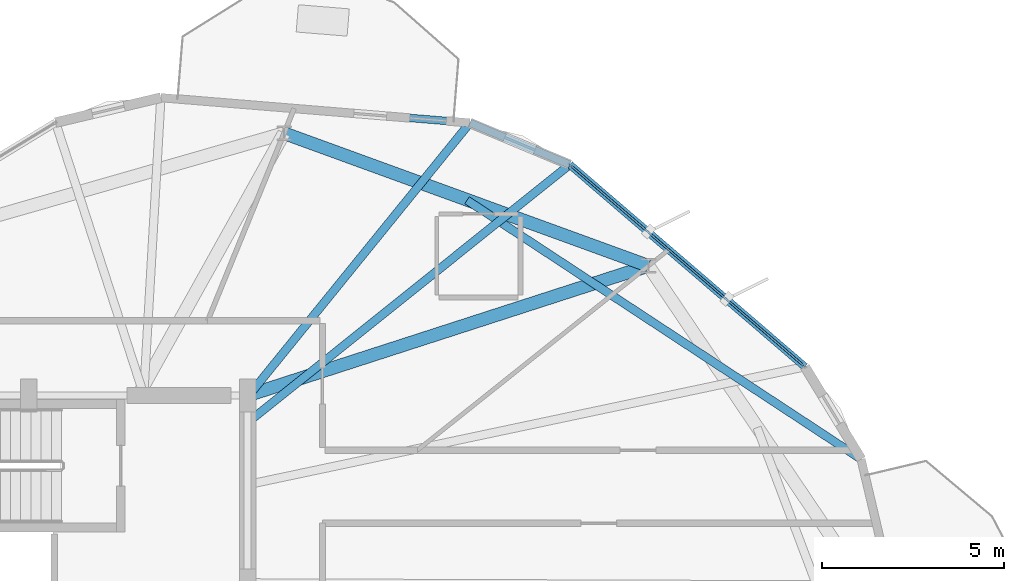
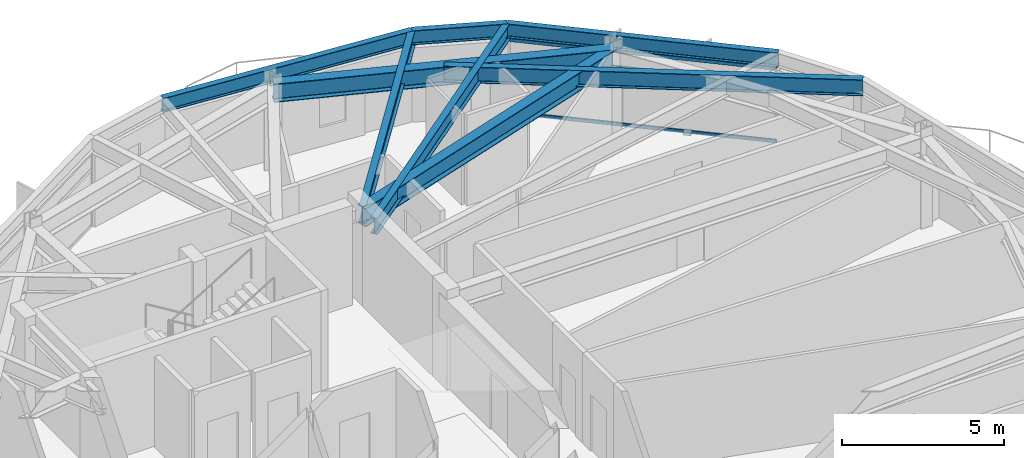
# One storey, part 15 of 23: 8 beams, 3 members, 1 element without a shape of its own.
"""IFC4 building model written with IfcOpenShell, lengths in metres."""

from ifc_helpers import new_model, si_unit, direction, frame, origin, origin_2d, place, context, subcontext, project, spatial, hollow_rectangle, i_section, extrude, material, layer, layer_set, material_profile, profile_set, type_object, element, aggregate, save


model = new_model("IFC4")

# Units and contexts
model_context = context("Model", 3, precision=1e-05, world=origin(), true_north=direction((0.0, 1.0)))
body_context = subcontext(model_context, "Body", "Model", "MODEL_VIEW")
ifc_project = project(units=[si_unit("LENGTHUNIT", "METRE"), si_unit("AREAUNIT", "SQUARE_METRE"), si_unit("VOLUMEUNIT", "CUBIC_METRE"), si_unit("PLANEANGLEUNIT", "RADIAN"), si_unit("MASSUNIT", "GRAM", prefix="KILO")], contexts=[model_context])

# Site, building, storey
site_placement = place(None, origin())
site = spatial("IfcSite", under=ifc_project, at=site_placement, CompositionType="ELEMENT")
building_placement = place(site_placement, origin())
building = spatial("IfcBuilding", under=site, at=building_placement, Name="Soratama Intermodal Tower", CompositionType="ELEMENT")
storey_placement = place(building_placement, frame((0.0, 0.0, 280.0)))
storey = spatial("IfcBuildingStorey", under=building, at=storey_placement, Name="L71", CompositionType="ELEMENT", Elevation=280.0)

# Beams
ifc_material_1 = material(Name="Structural steel ASTM A992 Grade 50", Category="steel")
ifc_material_profile_1 = material_profile(ifc_material_1, i_section(OverallWidth=0.35498046875, OverallDepth=0.695068359375, WebThickness=0.015380859375, FlangeThickness=0.02490234375, FilletRadius=0.01611328125, at=origin_2d()), Name="W27X146")
ifc_profile_set_1 = profile_set([ifc_material_profile_1], Name="Structural steel ASTM A992 Grade 50")
beam_type_1 = type_object("IfcBeamType", Name="BM-RING-W27X146", PredefinedType="BEAM", material=ifc_profile_set_1)
beam_1_placement = place(storey_placement, frame((55.589111328125, 38.553955078125, 3.0625), z_axis=(-0.939684073866, 0.342043624883, 0.0), x_axis=(-0.342043624883, -0.939684073866, 0.0)))
element("IfcBeam", 1, at=beam_1_placement, inside=storey, type_object=beam_type_1, Name="BM-L71-RING-02", PredefinedType="BEAM", context=body_context, shape_type="SweptSolid", body=[
    extrude(i_section(OverallWidth=0.35498046875, OverallDepth=0.695068359375, WebThickness=0.015380859375, FlangeThickness=0.02490234375, FilletRadius=0.01611328125, at=origin_2d()), origin(), (0.0, 0.0, 1.0), 10.630126953125),
])
beam_2_placement = place(storey_placement, frame((44.60009765625, 35.0, 3.0625), z_axis=(0.95147783512, 0.307717287904, 0.0), x_axis=(-0.307717287904, 0.95147783512, 0.0)))
element("IfcBeam", 2, at=beam_2_placement, inside=storey, type_object=beam_type_1, Name="BM-L71-RAD-02", PredefinedType="BEAM", context=body_context, shape_type="SweptSolid", body=[
    extrude(i_section(OverallWidth=0.35498046875, OverallDepth=0.695068359375, WebThickness=0.015380859375, FlangeThickness=0.02490234375, FilletRadius=0.01611328125, at=origin_2d()), origin(), (0.0, 0.0, 1.0), 11.54931640625),
])
ifc_material_2 = material(Name="Structural steel ASTM A992 Grade 50", Category="steel")
ifc_material_profile_2 = material_profile(ifc_material_2, i_section(OverallWidth=0.2099609375, OverallDepth=0.537109375, WebThickness=0.010986328125, FlangeThickness=0.017333984375, FilletRadius=0.012939453125, at=origin_2d()), Name="W21X68")
ifc_profile_set_2 = profile_set([ifc_material_profile_2], Name="Structural steel ASTM A992 Grade 50")
beam_type_2 = type_object("IfcBeamType", Name="BM-SPN-W21X68", PredefinedType="SPANDREL", material=ifc_profile_set_2)
beam_3_placement = place(storey_placement, frame((50.695068359375, 42.47412109375, 3.1416015625), z_axis=(-0.996672531854, 0.081509902755, 0.0), x_axis=(-0.081509902755, -0.996672531854, 0.0)))
element("IfcBeam", 3, at=beam_3_placement, inside=storey, type_object=beam_type_2, Name="BS-L71-F01", PredefinedType="SPANDREL", context=body_context, shape_type="SweptSolid", body=[
    extrude(i_section(OverallWidth=0.2099609375, OverallDepth=0.537109375, WebThickness=0.010986328125, FlangeThickness=0.017333984375, FilletRadius=0.012939453125, at=origin_2d()), origin(), (0.0, 0.0, 1.0), 8.50048828125),
])
beam_4_placement = place(storey_placement, frame((59.8779296875, 35.7890625, 3.1416015625), z_axis=(-0.758335401384, 0.651864571064, 0.0), x_axis=(-0.651864571064, -0.758335401384, 0.0)))
element("IfcBeam", 4, at=beam_4_placement, inside=storey, type_object=beam_type_2, Name="BS-L71-F10", PredefinedType="SPANDREL", context=body_context, shape_type="SweptSolid", body=[
    extrude(i_section(OverallWidth=0.2099609375, OverallDepth=0.537109375, WebThickness=0.010986328125, FlangeThickness=0.017333984375, FilletRadius=0.012939453125, at=origin_2d()), origin(), (0.0, 0.0, 1.0), 8.500244140625),
])
beam_5_placement = place(storey_placement, frame((53.431884765625, 41.330078125, 3.1416015625), z_axis=(-0.922633132361, 0.385678756311, 0.0), x_axis=(-0.385678756311, -0.922633132361, 0.0)))
element("IfcBeam", 5, at=beam_5_placement, inside=storey, type_object=beam_type_2, Name="BS-L71-CRN10", PredefinedType="SPANDREL", context=body_context, shape_type="SweptSolid", body=[
    extrude(i_section(OverallWidth=0.2099609375, OverallDepth=0.537109375, WebThickness=0.010986328125, FlangeThickness=0.017333984375, FilletRadius=0.012939453125, at=origin_2d()), origin(), (0.0, 0.0, 1.0), 2.96630859375),
])
ifc_material_3 = material(Name="Structural steel ASTM A992 Grade 50", Category="steel")
ifc_material_profile_3 = material_profile(ifc_material_3, i_section(OverallWidth=0.22900390625, OverallDepth=0.612060546875, WebThickness=0.011962890625, FlangeThickness=0.01953125, FilletRadius=0.012939453125, at=origin_2d()), Name="W24X84")
ifc_profile_set_3 = profile_set([ifc_material_profile_3], Name="Structural steel ASTM A992 Grade 50")
beam_type_3 = type_object("IfcBeamType", Name="BM-TIE-W24X84", PredefinedType="BEAM", material=ifc_profile_set_3)
beam_6_placement = place(storey_placement, frame((44.625, 34.991943359375, 3.10400390625), z_axis=(0.630017214308, 0.776581167474, 0.0), x_axis=(-0.776581167474, 0.630017214308, 0.0)))
element("IfcBeam", 6, at=beam_6_placement, inside=storey, type_object=beam_type_3, Name="BM-L71-TIE0-01", PredefinedType="BEAM", context=body_context, shape_type="SweptSolid", body=[
    extrude(i_section(OverallWidth=0.22900390625, OverallDepth=0.612060546875, WebThickness=0.011962890625, FlangeThickness=0.01953125, FilletRadius=0.012939453125, at=origin_2d()), origin(), (0.0, 0.0, 1.0), 9.634765625),
])
beam_7_placement = place(storey_placement, frame((50.615966796875, 40.35400390625, 3.10400390625), z_axis=(0.83572751896, -0.549144347193, 0.0), x_axis=(0.549144347193, 0.83572751896, 0.0)))
element("IfcBeam", 7, at=beam_7_placement, inside=storey, type_object=beam_type_3, Name="BM-L71-TIE1-09", PredefinedType="BEAM", context=body_context, shape_type="SweptSolid", body=[
    extrude(i_section(OverallWidth=0.22900390625, OverallDepth=0.612060546875, WebThickness=0.011962890625, FlangeThickness=0.01953125, FilletRadius=0.012939453125, at=origin_2d()), origin(), (0.0, 0.0, 1.0), 12.927490234375),
])
beam_8_placement = place(storey_placement, frame((44.631103515625, 34.281982421875, 3.10400390625), z_axis=(0.780545495059, 0.625098976278, 0.0), x_axis=(-0.625098976278, 0.780545495059, 0.0)))
element("IfcBeam", 8, at=beam_8_placement, inside=storey, type_object=beam_type_3, Name="BM-L71-TIE1-10", PredefinedType="BEAM", context=body_context, shape_type="SweptSolid", body=[
    extrude(i_section(OverallWidth=0.22900390625, OverallDepth=0.612060546875, WebThickness=0.011962890625, FlangeThickness=0.01953125, FilletRadius=0.012939453125, at=origin_2d()), origin(), (0.0, 0.0, 1.0), 11.275146484375),
])

# Curtain wall, members
ifc_material_4 = material(Name="Double-glazed aluminium curtain wall", Category="aluminium")
ifc_layer = layer(ifc_material_4, 0.159912109375)
ifc_layer_set = layer_set([ifc_layer], Name="Double-glazed aluminium curtain wall")
curtain_wall_type = type_object("IfcCurtainWallType", Name="CW-SYS-5", PredefinedType="NOTDEFINED", material=ifc_layer_set)
curtain_wall_placement = place(storey_placement, origin())
curtain_wall = element("IfcCurtainWall", 9, at=curtain_wall_placement, inside=storey, type_object=curtain_wall_type, Name="L71 Faceted Curtain Wall F10", PredefinedType="NOTDEFINED")
ifc_material_5 = material(Name="Anodised aluminium AA 6063-T6", Category="aluminium")
ifc_material_profile_4 = material_profile(ifc_material_5, hollow_rectangle(XDim=0.06005859375, YDim=0.1298828125, WallThickness=0.0048828125, InnerFilletRadius=0.0048828125, OuterFilletRadius=0.010009765625, at=origin_2d()), Name="CWT130X60X5")
ifc_profile_set_4 = profile_set([ifc_material_profile_4], Name="Anodised aluminium AA 6063-T6")
member_type = type_object("IfcMemberType", Name="TT-CWT-2", PredefinedType="USERDEFINED", material=ifc_profile_set_4)
member_1_placement = place(storey_placement, frame((59.832275390625, 35.828369140625, 0.030029296875), z_axis=(-0.758369525593, 0.651824871152, 0.0), x_axis=(-0.651824871152, -0.758369525593, 0.0)))
member_1 = element("IfcMember", 10, at=member_1_placement, type_object=member_type, Name="CW-5 transom 1.1", ObjectType="TRANSOM", PredefinedType="USERDEFINED", context=body_context, shape_type="SweptSolid", body=[
    extrude(hollow_rectangle(XDim=0.06005859375, YDim=0.1298828125, WallThickness=0.0048828125, InnerFilletRadius=0.0048828125, OuterFilletRadius=0.010009765625, at=origin_2d()), origin(), (0.0, 0.0, 1.0), 8.3798828125),
])
member_2_placement = place(storey_placement, frame((59.832275390625, 35.828369140625, 2.14990234375), z_axis=(-0.758369525593, 0.651824871152, 0.0), x_axis=(-0.651824871152, -0.758369525593, 0.0)))
member_2 = element("IfcMember", 11, at=member_2_placement, type_object=member_type, Name="CW-5 transom 1.2", ObjectType="TRANSOM", PredefinedType="USERDEFINED", context=body_context, shape_type="SweptSolid", body=[
    extrude(hollow_rectangle(XDim=0.06005859375, YDim=0.1298828125, WallThickness=0.0048828125, InnerFilletRadius=0.0048828125, OuterFilletRadius=0.010009765625, at=origin_2d()), origin(), (0.0, 0.0, 1.0), 8.3798828125),
])
member_3_placement = place(storey_placement, frame((59.832275390625, 35.828369140625, 2.759033203125), z_axis=(-0.758369525593, 0.651824871152, 0.0), x_axis=(-0.651824871152, -0.758369525593, 0.0)))
member_3 = element("IfcMember", 12, at=member_3_placement, type_object=member_type, Name="CW-5 transom 1.3", ObjectType="TRANSOM", PredefinedType="USERDEFINED", context=body_context, shape_type="SweptSolid", body=[
    extrude(hollow_rectangle(XDim=0.06005859375, YDim=0.1298828125, WallThickness=0.0048828125, InnerFilletRadius=0.0048828125, OuterFilletRadius=0.010009765625, at=origin_2d()), origin(), (0.0, 0.0, 1.0), 8.3798828125),
])
aggregate(curtain_wall, [member_1, member_2, member_3])

save(model, "model.ifc")
